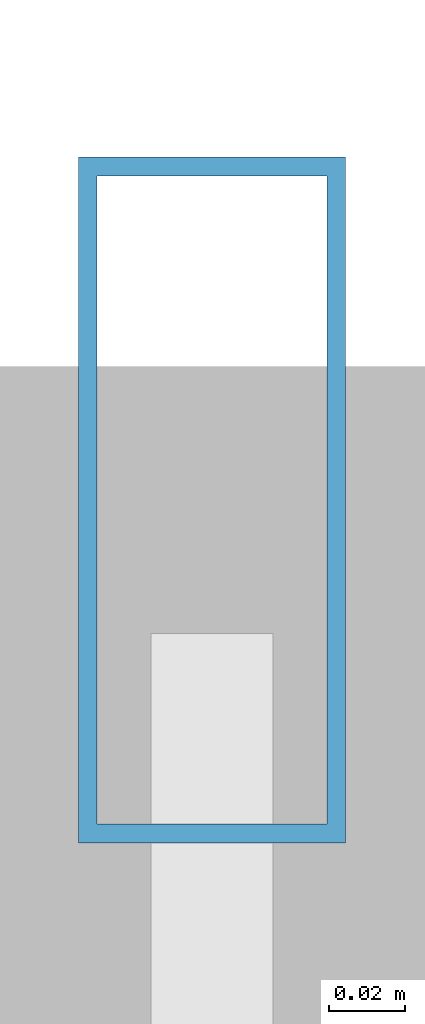
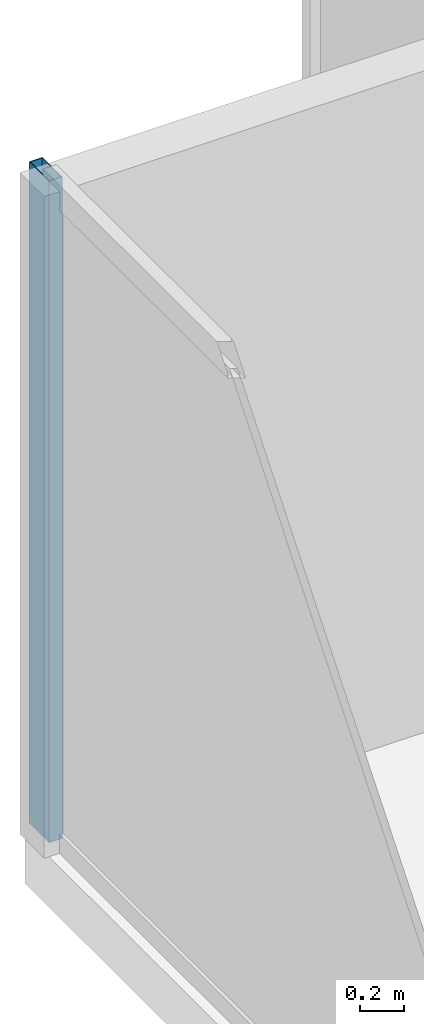
# One storey, part 17 of 28: 1 member, 1 element without a shape of its own.
"""IFC4 building model written with IfcOpenShell, lengths in metres."""

import ifcopenshell
import ifcopenshell.guid

model = None  # the IFC model being written
_history = None  # IfcOwnerHistory: only IFC2X3 demands one
_inside = {}  # id of a spatial element -> (the spatial element, [elements in it])
_under = {}  # id of a project, library or spatial element -> (it, [spatial elements below it])
_declared = {}  # id of a project -> (the project, [libraries it declares])
_typed = {}  # id of a type object -> (the type object, [elements of that type])
_made_of = {}  # id of a material, layer set ... -> (it, [elements and type objects made of it])


def new_model(schema):
    """Start an empty IFC model of exactly this schema.

    Asked for "IFC4X3", IfcOpenShell would pick the latest addendum, in which some entities
    have other attributes; the version numbers below select the first issue.
    IFC2X3 requires an IfcOwnerHistory on every rooted entity: one is made here for all.
    """
    global model, _history
    if schema == "IFC4X3":
        model = ifcopenshell.file(schema_version=(4, 3, 0, 0))
    else:
        model = ifcopenshell.file(schema=schema)
    _inside.clear()
    _under.clear()
    _declared.clear()
    _typed.clear()
    _made_of.clear()
    _history = None
    if model.schema == "IFC2X3":
        org = make("IfcOrganization", Name="unknown")
        user = make(
            "IfcPersonAndOrganization",
            ThePerson=make("IfcPerson", FamilyName="unknown"),
            TheOrganization=org,
        )
        app = make(
            "IfcApplication",
            ApplicationDeveloper=org,
            Version="unknown",
            ApplicationFullName="unknown",
            ApplicationIdentifier="unknown",
        )
        _history = make(
            "IfcOwnerHistory",
            OwningUser=user,
            OwningApplication=app,
            ChangeAction="ADDED",
            CreationDate=0,
        )
    return model


def make(cls, **values):
    """One entity of the class cls with the attributes given. An attribute that is None is left unset."""
    return model.create_entity(
        cls, **{name: value for name, value in values.items() if value is not None}
    )


def rooted(cls, **values):
    """An entity with a GlobalId (a new one), such as an element, a storey or a relation."""
    return make(cls, GlobalId=ifcopenshell.guid.new(), OwnerHistory=_history, **values)


def si_unit(unit_type, name, prefix=None):
    """IfcSIUnit, for example si_unit("LENGTHUNIT", "METRE", prefix="MILLI")."""
    return make("IfcSIUnit", UnitType=unit_type, Prefix=prefix, Name=name)


def assignment(units):
    """IfcUnitAssignment: the units of a project."""
    return None if units is None else make("IfcUnitAssignment", Units=units)


def point(xyz):
    """IfcCartesianPoint."""
    return None if xyz is None else make("IfcCartesianPoint", Coordinates=xyz)


def direction(xyz):
    """IfcDirection."""
    return None if xyz is None else make("IfcDirection", DirectionRatios=xyz)


def frame(location, z_axis=None, x_axis=None):
    """IfcAxis2Placement3D, a coordinate frame: its origin and axes. An axis left out is left unset."""
    return make(
        "IfcAxis2Placement3D",
        Location=point(location),
        Axis=direction(z_axis),
        RefDirection=direction(x_axis),
    )


def frame_2d(location, x_axis=None):
    """IfcAxis2Placement2D, a coordinate frame in the plane: its origin and x axis."""
    return make(
        "IfcAxis2Placement2D", Location=point(location), RefDirection=direction(x_axis)
    )


def origin():
    """The frame at (0, 0, 0) with its axes left unset."""
    return frame((0.0, 0.0, 0.0))


def origin_2d():
    """The frame at (0, 0) in the plane with its x axis left unset."""
    return frame_2d((0.0, 0.0))


def place(relative_to, where):
    """IfcLocalPlacement: puts the frame where relative to a parent placement (None: the world)."""
    return make(
        "IfcLocalPlacement", PlacementRelTo=relative_to, RelativePlacement=where
    )


def context(
    kind, dimensions, precision=None, world=None, true_north=None, identifier=None
):
    """IfcGeometricRepresentationContext, for example the 3D "Model" context."""
    return make(
        "IfcGeometricRepresentationContext",
        ContextIdentifier=identifier,
        ContextType=kind,
        CoordinateSpaceDimension=dimensions,
        Precision=precision,
        WorldCoordinateSystem=world,
        TrueNorth=true_north,
    )


def subcontext(parent, identifier, kind, view, scale=None):
    """IfcGeometricRepresentationSubContext, for example "Body" below "Model"."""
    return make(
        "IfcGeometricRepresentationSubContext",
        ContextIdentifier=identifier,
        ContextType=kind,
        ParentContext=parent,
        TargetScale=scale,
        TargetView=view,
    )


def project(units=None, contexts=None):
    """IfcProject with its units and contexts."""
    return rooted(
        "IfcProject",
        Name="project",
        RepresentationContexts=contexts,
        UnitsInContext=assignment(units),
    )


def spatial(cls, under=None, at=None, **own):
    """A site, building, storey or space (cls), placed at a placement, below another one or the project."""
    s = rooted(cls, ObjectPlacement=at, **own)
    if under is not None:
        _under.setdefault(under.id(), (under, []))[1].append(s)
    return s


def profile(cls, at=None, kind="AREA", **sizes):
    """A parametric profile (cls). Its sizes go by their IFC names, for example OverallWidth=200.0."""
    return make(cls, ProfileType=kind, Position=at, **sizes)


def hollow_rectangle(**sizes):
    """IfcRectangleHollowProfileDef."""
    return profile("IfcRectangleHollowProfileDef", **sizes)


def extrude(swept, where, along, depth):
    """IfcExtrudedAreaSolid: the profile swept, set in the frame where, extruded along a direction by depth."""
    return make(
        "IfcExtrudedAreaSolid",
        SweptArea=swept,
        Position=where,
        ExtrudedDirection=direction(along),
        Depth=depth,
    )


def shape(context_of_items, identifier, shape_type, items):
    """IfcShapeRepresentation: the items that make up one representation, for example the "Body"."""
    return make(
        "IfcShapeRepresentation",
        ContextOfItems=context_of_items,
        RepresentationIdentifier=identifier,
        RepresentationType=shape_type,
        Items=items,
    )


def source(mapping_origin, context_of_items, identifier, shape_type, items):
    """IfcRepresentationMap: a shape defined once, which mapped items show again and again."""
    return make(
        "IfcRepresentationMap",
        MappingOrigin=mapping_origin,
        MappedRepresentation=shape(context_of_items, identifier, shape_type, items),
    )


def transform(
    local_origin,
    x_axis=None,
    y_axis=None,
    z_axis=None,
    scale=None,
    scale2=None,
    scale3=None,
    uniform=True,
):
    """IfcCartesianTransformationOperator3D, or its non-uniform kind. x_axis, y_axis, z_axis: its Axis1, 2, 3."""
    if uniform:
        return make(
            "IfcCartesianTransformationOperator3D",
            Axis1=direction(x_axis),
            Axis2=direction(y_axis),
            LocalOrigin=point(local_origin),
            Scale=scale,
            Axis3=direction(z_axis),
        )
    return make(
        "IfcCartesianTransformationOperator3DnonUniform",
        Axis1=direction(x_axis),
        Axis2=direction(y_axis),
        LocalOrigin=point(local_origin),
        Scale=scale,
        Axis3=direction(z_axis),
        Scale2=scale2,
        Scale3=scale3,
    )


def mapped(mapping_source, mapping_target):
    """IfcMappedItem: shows the shape of a source again, moved by a transform."""
    return make(
        "IfcMappedItem", MappingSource=mapping_source, MappingTarget=mapping_target
    )


def material(Name=None, Category=None):
    """IfcMaterial."""
    return make("IfcMaterial", Name=Name, Category=Category)


def material_profile(
    of_material, cross_section, Name=None, Category=None, Priority=None
):
    """IfcMaterialProfile: a cross section and its material."""
    return make(
        "IfcMaterialProfile",
        Name=Name,
        Material=of_material,
        Profile=cross_section,
        Priority=Priority,
        Category=Category,
    )


def profile_set(profiles, Name=None, composite=None):
    """IfcMaterialProfileSet."""
    return make(
        "IfcMaterialProfileSet",
        Name=Name,
        MaterialProfiles=profiles,
        CompositeProfile=composite,
    )


def made_of(thing, what):
    """Note that an element or type object is made of a material, layer set ...; save() writes the relation."""
    if what is not None:
        _made_of.setdefault(what.id(), (what, []))[1].append(thing)
    return thing


def type_object(cls, material=None, **own):
    """A type object (cls), such as IfcWallType, which elements share."""
    return made_of(rooted(cls, **own), material)


def type_shapes(of_type, sources):
    """Give a type object the sources (RepresentationMaps) that its elements show as mapped items."""
    of_type.RepresentationMaps = sources


def element(
    cls,
    number,
    at=None,
    inside=None,
    cuts=None,
    type_object=None,
    material=None,
    context=None,
    identifier="Body",
    shape_type=None,
    held_by="IfcProductDefinitionShape",
    body=None,
    shapes=None,
    **own,
):
    """One element of the class cls, such as IfcWall. Its Tag is "e" and its number.

    at: its placement. inside: the storey or other place that contains it. cuts: it is an
    opening in that element (IfcRelVoidsElement). A single representation is given by context,
    identifier, shape_type and body (its items); several are given by shapes. held_by: the class
    of the entity that holds the representations. save() writes the other relations.
    """
    e = rooted(cls, Tag="e%d" % number, ObjectPlacement=at, **own)
    if body is not None:
        shapes = [shape(context, identifier, shape_type, body)]
    if shapes is not None:
        e.Representation = make(held_by, Representations=shapes)
    if inside is not None:
        _inside.setdefault(inside.id(), (inside, []))[1].append(e)
    if cuts is not None:
        rooted(
            "IfcRelVoidsElement", RelatingBuildingElement=cuts, RelatedOpeningElement=e
        )
    if type_object is not None:
        _typed.setdefault(type_object.id(), (type_object, []))[1].append(e)
    return made_of(e, material)


def aggregate(whole, parts):
    """IfcRelAggregates: a whole, such as a stair, and the parts it consists of."""
    return rooted("IfcRelAggregates", RelatingObject=whole, RelatedObjects=parts)


def save(model, path):
    """Write the relations noted so far, then the file.

    IfcRelAggregates (storeys below a building ...), IfcRelContainedInSpatialStructure (elements
    in a storey), IfcRelDefinesByType, IfcRelAssociatesMaterial and IfcRelDeclares: one each for
    every whole, place, type object, material and project.
    """
    for whole, parts in _under.values():
        aggregate(whole, parts)
    for where, things in _inside.values():
        rooted(
            "IfcRelContainedInSpatialStructure",
            RelatedElements=things,
            RelatingStructure=where,
        )
    for kind, things in _typed.values():
        rooted("IfcRelDefinesByType", RelatedObjects=things, RelatingType=kind)
    for what, things in _made_of.values():
        rooted("IfcRelAssociatesMaterial", RelatedObjects=things, RelatingMaterial=what)
    for by, libraries in _declared.values():
        rooted("IfcRelDeclares", RelatingContext=by, RelatedDefinitions=libraries)
    model.write(path)


model = new_model("IFC4")

# Units and contexts
model_context = context("Model", 3, precision=1e-05, world=origin(), true_north=direction((0.0, 1.0)))
body_context = subcontext(model_context, "Body", "Model", "MODEL_VIEW")
ifc_project = project(units=[si_unit("LENGTHUNIT", "METRE"), si_unit("AREAUNIT", "SQUARE_METRE"), si_unit("VOLUMEUNIT", "CUBIC_METRE"), si_unit("PLANEANGLEUNIT", "RADIAN"), si_unit("MASSUNIT", "GRAM", prefix="KILO")], contexts=[model_context])

# Site, building, storey
site_placement = place(None, origin())
site = spatial("IfcSite", under=ifc_project, at=site_placement, CompositionType="ELEMENT")
building_placement = place(site_placement, origin())
building = spatial("IfcBuilding", under=site, at=building_placement, Name="Krantzveldt Concourse Tower", CompositionType="ELEMENT")
storey_placement = place(building_placement, frame((0.0, 0.0, 28.949951171875)))
storey = spatial("IfcBuildingStorey", under=building, at=storey_placement, Name="L06", CompositionType="ELEMENT", Elevation=28.949951171875)

# Curtain wall, member
ifc_material = material(Name="Anodised aluminium 6063-T6", Category="aluminium")
curtain_wall_type = type_object("IfcCurtainWallType", Name="CW2", PredefinedType="USERDEFINED", material=ifc_material)
curtain_wall_placement = place(storey_placement, origin())
curtain_wall = element("IfcCurtainWall", 1, at=curtain_wall_placement, inside=storey, type_object=curtain_wall_type, Name="CW-L06-F01", ObjectType="UNITISED CURTAIN WALL", PredefinedType="USERDEFINED")
ifc_material_profile = material_profile(ifc_material, hollow_rectangle(XDim=0.070068359375, YDim=0.179931640625, WallThickness=0.0048828125, at=origin_2d()), Name="Anodised aluminium 6063-T6", Category="aluminium")
ifc_profile_set = profile_set([ifc_material_profile], Name="Anodised aluminium 6063-T6 - ALU-MULL 180x70x5")
member_type = type_object("IfcMemberType", Name="CW-MUL-180", PredefinedType="MULLION", material=ifc_profile_set)
shared_shape = source(origin(), body_context, "Body", "SweptSolid", [
    extrude(hollow_rectangle(XDim=0.070068359375, YDim=0.179931640625, WallThickness=0.0048828125, at=origin_2d()), origin(), (0.0, 0.0, 1.0), 3.670166015625),
])
type_shapes(member_type, [shared_shape])
member_placement = place(storey_placement, frame((11.090087890625, 48.1650390625, 0.0), z_axis=(0.0, 0.0, 1.0), x_axis=(1.0, 0.0, 0.0)))
member = element("IfcMember", 2, at=member_placement, type_object=member_type, Name="CW-Z12 mullion 1", PredefinedType="MULLION", context=body_context, shape_type="MappedRepresentation", body=[
    mapped(shared_shape, transform((0.0, 0.0, 0.0), x_axis=(1.0, 0.0, 0.0), y_axis=(0.0, 1.0, 0.0), z_axis=(0.0, 0.0, 1.0), scale=1.0)),
])
aggregate(curtain_wall, [member])

save(model, "model.ifc")
